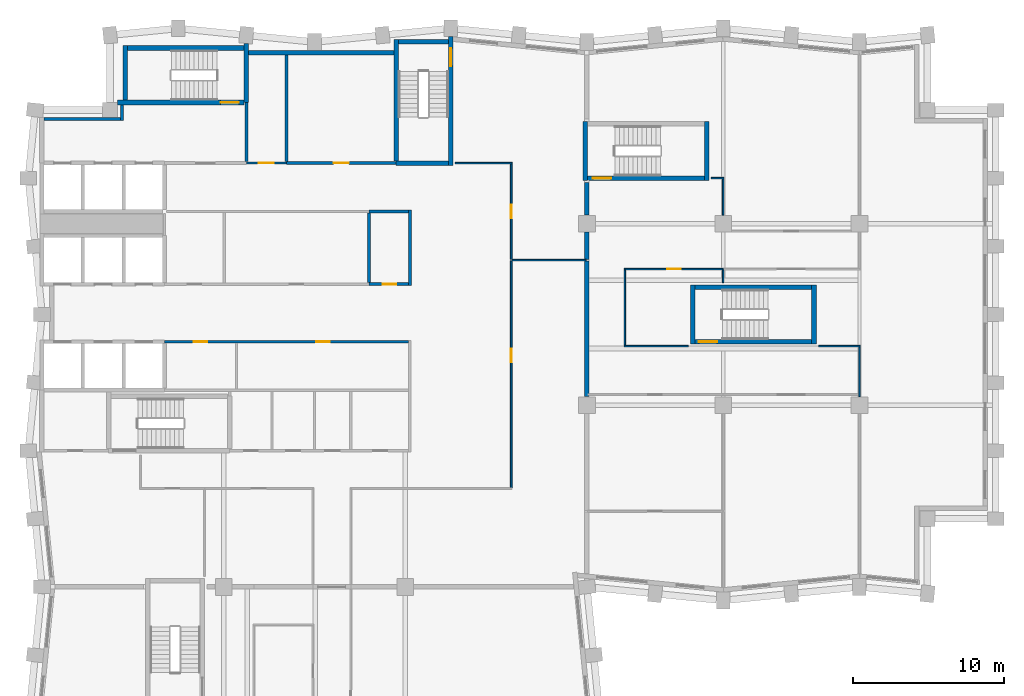
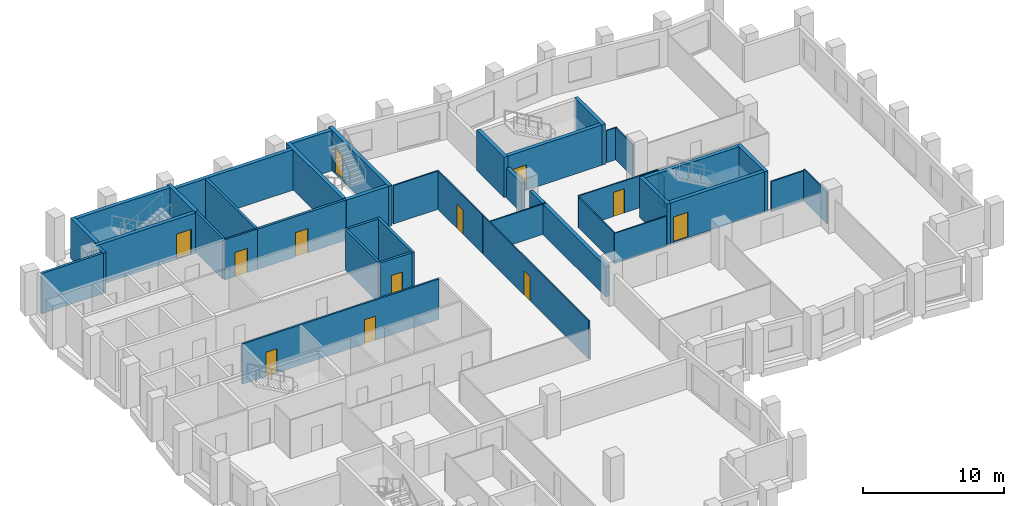
# One storey, part 6 of 10: 42 walls, 12 doors, 12 openings.
"""IFC4 building model written with IfcOpenShell, lengths in metres."""

from ifc_helpers import new_model, si_unit, direction, frame, frame_2d, origin, place, context, subcontext, project, spatial, rectangle, extrude, material, layer, layer_set, type_object, element, fill, save


model = new_model("IFC4")

# Units and contexts
model_context = context("Model", 3, precision=1e-05, world=origin(), true_north=direction((0.0, 1.0)))
body_context = subcontext(model_context, "Body", "Model", "MODEL_VIEW")
ifc_project = project(units=[si_unit("LENGTHUNIT", "METRE"), si_unit("AREAUNIT", "SQUARE_METRE"), si_unit("VOLUMEUNIT", "CUBIC_METRE"), si_unit("PLANEANGLEUNIT", "RADIAN"), si_unit("MASSUNIT", "GRAM", prefix="KILO")], contexts=[model_context])

# Site, building, storey
site_placement = place(None, origin())
site = spatial("IfcSite", under=ifc_project, at=site_placement, CompositionType="ELEMENT")
building_placement = place(site_placement, origin())
building = spatial("IfcBuilding", under=site, at=building_placement, Name="Brondeck Convention Tower", CompositionType="ELEMENT")
storey_placement = place(building_placement, frame((0.0, 0.0, 185.199951171875)))
storey = spatial("IfcBuildingStorey", under=building, at=storey_placement, Name="L45", CompositionType="ELEMENT", Elevation=185.199951171875)

# Walls
ifc_material_1 = material(Name="Concrete compartment wall C30/37", Category="concrete")
ifc_layer_1 = layer(ifc_material_1, 0.300048828125)
ifc_layer_set_1 = layer_set([ifc_layer_1], Name="Compartment wall 300")
wall_type_1 = type_object("IfcWallType", Name="Compartment wall 300", PredefinedType="PARTITIONING", material=ifc_layer_set_1)
wall_1_placement = place(storey_placement, frame((36.0, 39.570068359375, 0.0), z_axis=(0.0, 0.0, 1.0), x_axis=(0.0, 1.0, 0.0)))
element("IfcWall", 1, at=wall_1_placement, inside=storey, type_object=wall_type_1, Name="FLR-L45-W039", PredefinedType="PARTITIONING", context=body_context, shape_type="SweptSolid", body=[
    extrude(rectangle(XDim=8.968017578125, YDim=0.300048828125, at=frame_2d((4.48388671875, 0.0))), origin(), (0.0, 0.0, 1.0), 2.630126953125),
])
wall_2_placement = place(storey_placement, frame((36.0, 48.637939453125, 0.0), z_axis=(0.0, 0.0, 1.0), x_axis=(0.0, 1.0, 0.0)))
element("IfcWall", 2, at=wall_2_placement, inside=storey, type_object=wall_type_1, Name="FLR-L45-W049", PredefinedType="PARTITIONING", context=body_context, shape_type="SweptSolid", body=[
    extrude(rectangle(XDim=1.80712890625, YDim=0.300048828125, at=frame_2d((0.903564453125, 0.0))), origin(), (0.0, 0.0, 1.0), 2.630126953125),
])
wall_3_placement = place(storey_placement, frame((36.0, 51.554931640625, 0.0), z_axis=(0.0, 0.0, 1.0), x_axis=(0.0, 1.0, 0.0)))
element("IfcWall", 3, at=wall_3_placement, inside=storey, type_object=wall_type_1, Name="FLR-L45-W052", PredefinedType="PARTITIONING", context=body_context, shape_type="SweptSolid", body=[
    extrude(rectangle(XDim=2.14501953125, YDim=0.300048828125, at=frame_2d((1.072509765625, 0.0))), origin(), (0.0, 0.0, 1.0), 2.630126953125),
])
ifc_material_2 = material(Name="Concrete C70/85", Category="concrete")
ifc_layer_2 = layer(ifc_material_2, 0.199951171875)
ifc_layer_set_2 = layer_set([ifc_layer_2], Name="Core beam-seat wall 200 Concrete C70/85")
wall_type_2 = type_object("IfcWallType", Name="Core beam-seat wall 200 Concrete C70/85", PredefinedType="SHEAR", material=ifc_layer_set_2)
wall_4_placement = place(storey_placement, frame((24.300048828125, 46.89990234375, 0.0), z_axis=(0.0, 0.0, 1.0), x_axis=(0.0, 1.0, 0.0)))
element("IfcWall", 4, at=wall_4_placement, inside=storey, type_object=wall_type_2, Name="L45 core wall", PredefinedType="SHEAR", context=body_context, shape_type="SweptSolid", body=[
    extrude(rectangle(XDim=5.0, YDim=0.199951171875, at=frame_2d((2.5, 0.0))), origin(), (0.0, 0.0, 1.0), 3.5),
])
ifc_layer_3 = layer(ifc_material_2, 0.300048828125)
ifc_layer_set_3 = layer_set([ifc_layer_3], Name="Core outer wall 300 Concrete C70/85")
wall_type_3 = type_object("IfcWallType", Name="Core outer wall 300 Concrete C70/85", PredefinedType="SHEAR", material=ifc_layer_set_3)
wall_5_placement = place(storey_placement, frame((13.64990234375, 62.300048828125, 0.0), z_axis=(0.0, 0.0, 1.0), x_axis=(1.0, 0.0, 0.0)))
element("IfcWall", 5, at=wall_5_placement, inside=storey, type_object=wall_type_3, Name="L45 core wall", PredefinedType="SHEAR", context=body_context, shape_type="SweptSolid", body=[
    extrude(rectangle(XDim=9.60009765625, YDim=0.300048828125, at=frame_2d((4.800048828125, 0.0))), origin(), (0.0, 0.0, 1.0), 3.5),
])

# Wall, openings, doors
ifc_material_3 = material(Name="Fire-rated gypsum board partition")
ifc_layer_4 = layer(ifc_material_3, 0.14990234375)
ifc_layer_set_4 = layer_set([ifc_layer_4], Name="Core partition 150 EI 60")
wall_type_4 = type_object("IfcWallType", Name="Core partition 150 EI 60", PredefinedType="PARTITIONING", material=ifc_layer_set_4)
wall_6_placement = place(storey_placement, frame((8.10009765625, 43.199951171875, 0.0), z_axis=(0.0, 0.0, 1.0), x_axis=(1.0, 0.0, 0.0)))
wall_6 = element("IfcWall", 6, at=wall_6_placement, inside=storey, type_object=wall_type_4, Name="L45 core wall", PredefinedType="PARTITIONING", context=body_context, shape_type="SweptSolid", body=[
    extrude(rectangle(XDim=16.125, YDim=0.14990234375, at=frame_2d((8.0625, 0.0))), origin(), (0.0, 0.0, 1.0), 3.5),
])
opening_1_placement = place(wall_6_placement, frame((1.925048828125, 0.0, 0.0)))
opening_1 = element("IfcOpeningElement", 7, at=opening_1_placement, cuts=wall_6, Name="Opening C25-10", PredefinedType="OPENING", context=body_context, shape_type="SweptSolid", body=[
    extrude(rectangle(XDim=0.89990234375, YDim=2.10009765625, at=frame_2d((0.449951171875, 1.050048828125))), frame((0.0, 0.0849609375, 0.0), z_axis=(0.0, -1.0, 0.0), x_axis=(1.0, 0.0, 0.0)), (0.0, 0.0, 1.0), 0.169921875),
])
opening_2_placement = place(wall_6_placement, frame((10.02490234375, 0.0, 0.0)))
opening_2 = element("IfcOpeningElement", 8, at=opening_2_placement, cuts=wall_6, Name="Opening C25-11", PredefinedType="OPENING", context=body_context, shape_type="SweptSolid", body=[
    extrude(rectangle(XDim=0.89990234375, YDim=2.10009765625, at=frame_2d((0.449951171875, 1.050048828125))), frame((0.0, 0.0849609375, 0.0), z_axis=(0.0, -1.0, 0.0), x_axis=(1.0, 0.0, 0.0)), (0.0, 0.0, 1.0), 0.169921875),
])
ifc_material_4 = material(Name="Steel fire door", Category="steel")
door_type_1 = type_object("IfcDoorType", Name="Room door 900x2100 EI 60", OperationType="NOTDEFINED", PredefinedType="DOOR", material=ifc_material_4)
door_1_placement = place(opening_1_placement, origin())
door_1 = element("IfcDoor", 9, at=door_1_placement, inside=storey, type_object=door_type_1, Name="L45 Room door FZ-S-8.1-1", OperationType="SINGLE_SWING_RIGHT", OverallHeight=2.10009765625, OverallWidth=0.89990234375, PredefinedType="DOOR", context=body_context, shape_type="SweptSolid", body=[
    extrude(rectangle(XDim=0.89990234375, YDim=2.10009765625, at=frame_2d((0.449951171875, 1.050048828125))), frame((0.0, 0.02490234375, 0.0), z_axis=(0.0, -1.0, 0.0), x_axis=(1.0, 0.0, 0.0)), (0.0, 0.0, 1.0), 0.050048828125),
])
fill(opening_1, door_1)
door_2_placement = place(opening_2_placement, origin())
door_2 = element("IfcDoor", 10, at=door_2_placement, inside=storey, type_object=door_type_1, Name="L45 Room door FZ-S-8.1-2", OperationType="SINGLE_SWING_LEFT", OverallHeight=2.10009765625, OverallWidth=0.89990234375, PredefinedType="DOOR", context=body_context, shape_type="SweptSolid", body=[
    extrude(rectangle(XDim=0.89990234375, YDim=2.10009765625, at=frame_2d((0.449951171875, 1.050048828125))), frame((0.0, 0.02490234375, 0.0), z_axis=(0.0, -1.0, 0.0), x_axis=(1.0, 0.0, 0.0)), (0.0, 0.0, 1.0), 0.050048828125),
])
fill(opening_2, door_2)

# Wall, opening, door
wall_7_placement = place(storey_placement, frame((13.5, 55.0, 0.0), z_axis=(0.0, 0.0, 1.0), x_axis=(1.0, 0.0, 0.0)))
wall_7 = element("IfcWall", 11, at=wall_7_placement, inside=storey, type_object=wall_type_4, Name="L45 core wall", PredefinedType="PARTITIONING", context=body_context, shape_type="SweptSolid", body=[
    extrude(rectangle(XDim=2.64990234375, YDim=0.14990234375, at=frame_2d((1.324951171875, 0.0))), origin(), (0.0, 0.0, 1.0), 3.5),
])
opening_3_placement = place(wall_7_placement, frame((0.824951171875, 0.0, 0.0)))
opening_3 = element("IfcOpeningElement", 12, at=opening_3_placement, cuts=wall_7, Name="Opening C25-12", PredefinedType="OPENING", context=body_context, shape_type="SweptSolid", body=[
    extrude(rectangle(XDim=1.0, YDim=2.10009765625, at=frame_2d((0.5, 1.050048828125))), frame((0.0, 0.0849609375, 0.0), z_axis=(0.0, -1.0, 0.0), x_axis=(1.0, 0.0, 0.0)), (0.0, 0.0, 1.0), 0.169921875),
])
door_type_2 = type_object("IfcDoorType", Name="Room door 1000x2100 EI 60", OperationType="NOTDEFINED", PredefinedType="DOOR", material=ifc_material_4)
door_3_placement = place(opening_3_placement, origin())
door_3 = element("IfcDoor", 13, at=door_3_placement, inside=storey, type_object=door_type_2, Name="L45 Room door NE-1", OperationType="SINGLE_SWING_LEFT", OverallHeight=2.10009765625, OverallWidth=1.0, PredefinedType="DOOR", context=body_context, shape_type="SweptSolid", body=[
    extrude(rectangle(XDim=1.0, YDim=2.10009765625, at=frame_2d((0.5, 1.050048828125))), frame((0.0, 0.02490234375, 0.0), z_axis=(0.0, -1.0, 0.0), x_axis=(1.0, 0.0, 0.0)), (0.0, 0.0, 1.0), 0.050048828125),
])
fill(opening_3, door_3)

# Walls
ifc_layer_5 = layer(ifc_material_3, 0.199951171875)
ifc_layer_set_5 = layer_set([ifc_layer_5], Name="Firefighting lobby wall 200 EI 120")
wall_type_5 = type_object("IfcWallType", Name="Firefighting lobby wall 200 EI 120", PredefinedType="PARTITIONING", material=ifc_layer_set_5)
wall_8_placement = place(storey_placement, frame((0.14990234375, 57.89990234375, 0.0), z_axis=(0.0, 0.0, 1.0), x_axis=(1.0, 0.0, 0.0)))
element("IfcWall", 14, at=wall_8_placement, inside=storey, type_object=wall_type_5, Name="L45 core wall", PredefinedType="PARTITIONING", context=body_context, shape_type="SweptSolid", body=[
    extrude(rectangle(XDim=5.050048828125, YDim=0.199951171875, at=frame_2d((2.52490234375, 0.0))), origin(), (0.0, 0.0, 1.0), 3.5),
])
wall_9_placement = place(storey_placement, frame((5.300048828125, 57.800048828125, 0.0), z_axis=(0.0, 0.0, 1.0), x_axis=(0.0, 1.0, 0.0)))
element("IfcWall", 15, at=wall_9_placement, inside=storey, type_object=wall_type_5, Name="L45 core wall", PredefinedType="PARTITIONING", context=body_context, shape_type="SweptSolid", body=[
    extrude(rectangle(XDim=1.050048828125, YDim=0.199951171875, at=frame_2d((0.52490234375, 0.0))), origin(), (0.0, 0.0, 1.0), 3.5),
])
wall_10_placement = place(storey_placement, frame((13.5, 55.10009765625, 0.0), z_axis=(0.0, 0.0, 1.0), x_axis=(0.0, 1.0, 0.0)))
element("IfcWall", 16, at=wall_10_placement, inside=storey, type_object=wall_type_5, Name="L45 core wall", PredefinedType="PARTITIONING", context=body_context, shape_type="SweptSolid", body=[
    extrude(rectangle(XDim=3.89990234375, YDim=0.199951171875, at=frame_2d((1.949951171875, 0.0))), origin(), (0.0, 0.0, 1.0), 3.5),
])

# Wall, opening, door
ifc_layer_6 = layer(ifc_material_3, 0.199951171875)
ifc_layer_set_6 = layer_set([ifc_layer_6], Name="Riser wall 200 EI 120")
wall_type_6 = type_object("IfcWallType", Name="Riser wall 200 EI 120", PredefinedType="PARTITIONING", material=ifc_layer_set_6)
wall_11_placement = place(storey_placement, frame((21.60009765625, 47.0, 0.0), z_axis=(0.0, 0.0, 1.0), x_axis=(1.0, 0.0, 0.0)))
wall_11 = element("IfcWall", 17, at=wall_11_placement, inside=storey, type_object=wall_type_6, Name="L45 core wall", PredefinedType="PARTITIONING", context=body_context, shape_type="SweptSolid", body=[
    extrude(rectangle(XDim=2.599853515625, YDim=0.199951171875, at=frame_2d((1.2998046875, 0.0))), origin(), (0.0, 0.0, 1.0), 3.5),
])
opening_4_placement = place(wall_11_placement, frame((0.89990234375, 0.0, 0.0)))
opening_4 = element("IfcOpeningElement", 18, at=opening_4_placement, cuts=wall_11, Name="Opening C25-02", PredefinedType="OPENING", context=body_context, shape_type="SweptSolid", body=[
    extrude(rectangle(XDim=0.89990234375, YDim=2.10009765625, at=frame_2d((0.449951171875, 1.050048828125))), frame((0.0, 0.10986328125, 0.0), z_axis=(0.0, -1.0, 0.0), x_axis=(1.0, 0.0, 0.0)), (0.0, 0.0, 1.0), 0.219970703125),
])
door_type_3 = type_object("IfcDoorType", Name="Riser door 900x2100 EI 120", OperationType="NOTDEFINED", PredefinedType="DOOR", material=ifc_material_4)
door_4_placement = place(opening_4_placement, origin())
door_4 = element("IfcDoor", 19, at=door_4_placement, inside=storey, type_object=door_type_3, Name="L45 Riser door EN-1", OperationType="SINGLE_SWING_LEFT", OverallHeight=2.10009765625, OverallWidth=0.89990234375, PredefinedType="DOOR", context=body_context, shape_type="SweptSolid", body=[
    extrude(rectangle(XDim=0.89990234375, YDim=2.10009765625, at=frame_2d((0.449951171875, 1.050048828125))), frame((0.0, 0.02490234375, 0.0), z_axis=(0.0, -1.0, 0.0), x_axis=(1.0, 0.0, 0.0)), (0.0, 0.0, 1.0), 0.050048828125),
])
fill(opening_4, door_4)

# Wall
wall_12_placement = place(storey_placement, frame((21.60009765625, 51.800048828125, 0.0), z_axis=(0.0, 0.0, 1.0), x_axis=(1.0, 0.0, 0.0)))
element("IfcWall", 20, at=wall_12_placement, inside=storey, type_object=wall_type_6, Name="L45 core wall", PredefinedType="PARTITIONING", context=body_context, shape_type="SweptSolid", body=[
    extrude(rectangle(XDim=2.599853515625, YDim=0.199951171875, at=frame_2d((1.2998046875, 0.0))), origin(), (0.0, 0.0, 1.0), 3.5),
])

# Wall, opening, door
wall_13_placement = place(storey_placement, frame((16.14990234375, 55.0, 0.0), z_axis=(0.0, 0.0, 1.0), x_axis=(1.0, 0.0, 0.0)))
wall_13 = element("IfcWall", 21, at=wall_13_placement, inside=storey, type_object=wall_type_6, Name="L45 core wall", PredefinedType="PARTITIONING", context=body_context, shape_type="SweptSolid", body=[
    extrude(rectangle(XDim=7.25, YDim=0.199951171875, at=frame_2d((3.625, 0.0))), origin(), (0.0, 0.0, 1.0), 3.5),
])
opening_5_placement = place(wall_13_placement, frame((3.125, 0.0, 0.0)))
opening_5 = element("IfcOpeningElement", 22, at=opening_5_placement, cuts=wall_13, Name="Opening C25-13", PredefinedType="OPENING", context=body_context, shape_type="SweptSolid", body=[
    extrude(rectangle(XDim=1.0, YDim=2.10009765625, at=frame_2d((0.5, 1.050048828125))), frame((0.0, 0.10986328125, 0.0), z_axis=(0.0, -1.0, 0.0), x_axis=(1.0, 0.0, 0.0)), (0.0, 0.0, 1.0), 0.219970703125),
])
door_type_4 = type_object("IfcDoorType", Name="Riser door 1000x2100 EI 120", OperationType="NOTDEFINED", PredefinedType="DOOR", material=ifc_material_4)
door_5_placement = place(opening_5_placement, origin())
door_5 = element("IfcDoor", 23, at=door_5_placement, inside=storey, type_object=door_type_4, Name="L45 Riser door NE-2", OperationType="SINGLE_SWING_RIGHT", OverallHeight=2.10009765625, OverallWidth=1.0, PredefinedType="DOOR", context=body_context, shape_type="SweptSolid", body=[
    extrude(rectangle(XDim=1.0, YDim=2.10009765625, at=frame_2d((0.5, 1.050048828125))), frame((0.0, 0.02490234375, 0.0), z_axis=(0.0, -1.0, 0.0), x_axis=(1.0, 0.0, 0.0)), (0.0, 0.0, 1.0), 0.050048828125),
])
fill(opening_5, door_5)

# Walls
wall_14_placement = place(storey_placement, frame((16.14990234375, 55.10009765625, 0.0), z_axis=(0.0, 0.0, 1.0), x_axis=(0.0, 1.0, 0.0)))
element("IfcWall", 24, at=wall_14_placement, inside=storey, type_object=wall_type_6, Name="L45 core wall", PredefinedType="PARTITIONING", context=body_context, shape_type="SweptSolid", body=[
    extrude(rectangle(XDim=7.0498046875, YDim=0.199951171875, at=frame_2d((3.52490234375, 0.0))), origin(), (0.0, 0.0, 1.0), 3.5),
])
wall_15_placement = place(storey_placement, frame((21.60009765625, 47.10009765625, 0.0), z_axis=(0.0, 0.0, 1.0), x_axis=(0.0, 1.0, 0.0)))
element("IfcWall", 25, at=wall_15_placement, inside=storey, type_object=wall_type_6, Name="L45 core wall", PredefinedType="PARTITIONING", context=body_context, shape_type="SweptSolid", body=[
    extrude(rectangle(XDim=4.599853515625, YDim=0.199951171875, at=frame_2d((2.2998046875, 0.0))), origin(), (0.0, 0.0, 1.0), 3.5),
])
ifc_material_5 = material(Name="Gypsum board partition on steel studs", Category="steel")
ifc_layer_7 = layer(ifc_material_5, 0.10009765625)
ifc_layer_set_7 = layer_set([ifc_layer_7], Name="Room partition 100")
wall_type_7 = type_object("IfcWallType", Name="Room partition 100", PredefinedType="PARTITIONING", material=ifc_layer_set_7)
wall_16_placement = place(storey_placement, frame((54.0, 42.85009765625, 0.0), z_axis=(0.0, 0.0, 1.0), x_axis=(0.0, -1.0, 0.0)))
element("IfcWall", 26, at=wall_16_placement, inside=storey, type_object=wall_type_7, Name="FLR-L45-W040", PredefinedType="PARTITIONING", context=body_context, shape_type="SweptSolid", body=[
    extrude(rectangle(XDim=3.280029296875, YDim=0.10009765625, at=frame_2d((1.64013671875, 0.0))), origin(), (0.0, 0.0, 1.0), 2.780029296875),
])
wall_17_placement = place(storey_placement, frame((38.449951171875, 42.89990234375, 0.0), z_axis=(0.0, 0.0, 1.0), x_axis=(1.0, 0.0, 0.0)))
element("IfcWall", 27, at=wall_17_placement, inside=storey, type_object=wall_type_7, Name="FLR-L45-W041", PredefinedType="PARTITIONING", context=body_context, shape_type="SweptSolid", body=[
    extrude(rectangle(XDim=4.25, YDim=0.10009765625, at=frame_2d((2.125, 0.0))), origin(), (0.0, 0.0, 1.0), 2.630126953125),
])
wall_18_placement = place(storey_placement, frame((51.300048828125, 42.89990234375, 0.0), z_axis=(0.0, 0.0, 1.0), x_axis=(1.0, 0.0, 0.0)))
element("IfcWall", 28, at=wall_18_placement, inside=storey, type_object=wall_type_7, Name="FLR-L45-W042", PredefinedType="PARTITIONING", context=body_context, shape_type="SweptSolid", body=[
    extrude(rectangle(XDim=2.75, YDim=0.10009765625, at=frame_2d((1.375, 0.0))), origin(), (0.0, 0.0, 1.0), 2.630126953125),
])
wall_19_placement = place(storey_placement, frame((38.5, 47.949951171875, 0.0), z_axis=(0.0, 0.0, 1.0), x_axis=(0.0, -1.0, 0.0)))
element("IfcWall", 29, at=wall_19_placement, inside=storey, type_object=wall_type_7, Name="FLR-L45-W043", PredefinedType="PARTITIONING", context=body_context, shape_type="SweptSolid", body=[
    extrude(rectangle(XDim=5.0, YDim=0.10009765625, at=frame_2d((2.5, 0.0))), origin(), (0.0, 0.0, 1.0), 2.630126953125),
])
wall_20_placement = place(storey_placement, frame((45.0, 47.949951171875, 0.0), z_axis=(0.0, 0.0, 1.0), x_axis=(0.0, -1.0, 0.0)))
element("IfcWall", 30, at=wall_20_placement, inside=storey, type_object=wall_type_7, Name="FLR-L45-W044", PredefinedType="PARTITIONING", context=body_context, shape_type="SweptSolid", body=[
    extrude(rectangle(XDim=0.849853515625, YDim=0.10009765625, at=frame_2d((0.4248046875, 0.0))), origin(), (0.0, 0.0, 1.0), 2.630126953125),
])

# Wall, opening, door
wall_21_placement = place(storey_placement, frame((45.0, 48.0, 0.0), z_axis=(0.0, 0.0, 1.0), x_axis=(-1.0, 0.0, 0.0)))
wall_21 = element("IfcWall", 31, at=wall_21_placement, inside=storey, type_object=wall_type_7, Name="FLR-L45-W045", PredefinedType="PARTITIONING", context=body_context, shape_type="SweptSolid", body=[
    extrude(rectangle(XDim=6.550048828125, YDim=0.10009765625, at=frame_2d((3.27490234375, 0.0))), origin(), (0.0, 0.0, 1.0), 2.780029296875),
])
opening_6_placement = place(wall_21_placement, frame((2.800048828125, 0.0, 0.0)))
opening_6 = element("IfcOpeningElement", 32, at=opening_6_placement, cuts=wall_21, Name="Opening OF-J-002", PredefinedType="OPENING", context=body_context, shape_type="SweptSolid", body=[
    extrude(rectangle(XDim=0.89990234375, YDim=2.10009765625, at=frame_2d((0.449951171875, 1.050048828125))), frame((0.0, 0.06005859375, 0.0), z_axis=(0.0, -1.0, 0.0), x_axis=(1.0, 0.0, 0.0)), (0.0, 0.0, 1.0), 0.1201171875),
])
ifc_material_6 = material(Name="Solid timber door leaf", Category="wood")
door_type_5 = type_object("IfcDoorType", Name="Single door 900", OperationType="NOTDEFINED", PredefinedType="DOOR", material=ifc_material_6)
door_6_placement = place(opening_6_placement, origin())
door_6 = element("IfcDoor", 33, at=door_6_placement, inside=storey, type_object=door_type_5, Name="Door OF-J-002", OperationType="SINGLE_SWING_RIGHT", OverallHeight=2.10009765625, OverallWidth=0.89990234375, PredefinedType="DOOR", context=body_context, shape_type="SweptSolid", body=[
    extrude(rectangle(XDim=0.89990234375, YDim=2.10009765625, at=frame_2d((0.449951171875, 1.050048828125))), frame((0.0, 0.02490234375, 0.0), z_axis=(0.0, -1.0, 0.0), x_axis=(1.0, 0.0, 0.0)), (0.0, 0.0, 1.0), 0.050048828125),
])
fill(opening_6, door_6)

wall_22_placement = place(storey_placement, frame((31.0, 48.5380859375, 0.0), z_axis=(0.0, 0.0, 1.0), x_axis=(0.0, -1.0, 0.0)))
wall_22 = element("IfcWall", 34, at=wall_22_placement, inside=storey, type_object=wall_type_7, Name="FLR-L45-W047", PredefinedType="PARTITIONING", context=body_context, shape_type="SweptSolid", body=[
    extrude(rectangle(XDim=14.988037109375, YDim=0.10009765625, at=frame_2d((7.494140625, 0.0))), origin(), (0.0, 0.0, 1.0), 3.330078125),
])
opening_7_placement = place(wall_22_placement, frame((5.7939453125, 0.0, 0.0)))
opening_7 = element("IfcOpeningElement", 35, at=opening_7_placement, cuts=wall_22, Name="Opening OF-J-014", PredefinedType="OPENING", context=body_context, shape_type="SweptSolid", body=[
    extrude(rectangle(XDim=0.89990234375, YDim=2.10009765625, at=frame_2d((0.449951171875, 1.050048828125))), frame((0.0, 0.06005859375, 0.0), z_axis=(0.0, -1.0, 0.0), x_axis=(1.0, 0.0, 0.0)), (0.0, 0.0, 1.0), 0.1201171875),
])
door_7_placement = place(opening_7_placement, origin())
door_7 = element("IfcDoor", 36, at=door_7_placement, inside=storey, type_object=door_type_5, Name="Door OF-J-014", OperationType="SINGLE_SWING_RIGHT", OverallHeight=2.10009765625, OverallWidth=0.89990234375, PredefinedType="DOOR", context=body_context, shape_type="SweptSolid", body=[
    extrude(rectangle(XDim=0.89990234375, YDim=2.10009765625, at=frame_2d((0.449951171875, 1.050048828125))), frame((0.0, 0.02490234375, 0.0), z_axis=(0.0, -1.0, 0.0), x_axis=(1.0, 0.0, 0.0)), (0.0, 0.0, 1.0), 0.050048828125),
])
fill(opening_7, door_7)

# Walls
wall_23_placement = place(storey_placement, frame((31.050048828125, 48.587890625, 0.0), z_axis=(0.0, 0.0, 1.0), x_axis=(1.0, 0.0, 0.0)))
element("IfcWall", 37, at=wall_23_placement, inside=storey, type_object=wall_type_7, Name="FLR-L45-W048", PredefinedType="PARTITIONING", context=body_context, shape_type="SweptSolid", body=[
    extrude(rectangle(XDim=4.89990234375, YDim=0.10009765625, at=frame_2d((2.449951171875, 0.0))), origin(), (0.0, 0.0, 1.0), 2.630126953125),
])
wall_24_placement = place(storey_placement, frame((45.0, 53.949951171875, 0.0), z_axis=(0.0, 0.0, 1.0), x_axis=(0.0, -1.0, 0.0)))
element("IfcWall", 38, at=wall_24_placement, inside=storey, type_object=wall_type_7, Name="FLR-L45-W054", PredefinedType="PARTITIONING", context=body_context, shape_type="SweptSolid", body=[
    extrude(rectangle(XDim=2.39501953125, YDim=0.10009765625, at=frame_2d((1.197509765625, 0.0))), origin(), (0.0, 0.0, 1.0), 2.780029296875),
])
wall_25_placement = place(storey_placement, frame((44.199951171875, 54.0, 0.0), z_axis=(0.0, 0.0, 1.0), x_axis=(1.0, 0.0, 0.0)))
element("IfcWall", 39, at=wall_25_placement, inside=storey, type_object=wall_type_7, Name="FLR-L45-W055", PredefinedType="PARTITIONING", context=body_context, shape_type="SweptSolid", body=[
    extrude(rectangle(XDim=0.85009765625, YDim=0.10009765625, at=frame_2d((0.425048828125, 0.0))), origin(), (0.0, 0.0, 1.0), 2.780029296875),
])

# Wall, opening, door
wall_26_placement = place(storey_placement, frame((31.0, 54.949951171875, 0.0), z_axis=(0.0, 0.0, 1.0), x_axis=(0.0, -1.0, 0.0)))
wall_26 = element("IfcWall", 40, at=wall_26_placement, inside=storey, type_object=wall_type_7, Name="FLR-L45-W056", PredefinedType="PARTITIONING", context=body_context, shape_type="SweptSolid", body=[
    extrude(rectangle(XDim=6.31201171875, YDim=0.10009765625, at=frame_2d((3.156005859375, 0.0))), origin(), (0.0, 0.0, 1.0), 3.330078125),
])
opening_8_placement = place(wall_26_placement, frame((2.7060546875, 0.0, 0.0)))
opening_8 = element("IfcOpeningElement", 41, at=opening_8_placement, cuts=wall_26, Name="Opening OF-J-015", PredefinedType="OPENING", context=body_context, shape_type="SweptSolid", body=[
    extrude(rectangle(XDim=0.89990234375, YDim=2.10009765625, at=frame_2d((0.449951171875, 1.050048828125))), frame((0.0, 0.06005859375, 0.0), z_axis=(0.0, -1.0, 0.0), x_axis=(1.0, 0.0, 0.0)), (0.0, 0.0, 1.0), 0.1201171875),
])
door_8_placement = place(opening_8_placement, origin())
door_8 = element("IfcDoor", 42, at=door_8_placement, inside=storey, type_object=door_type_5, Name="Door OF-J-015", OperationType="SINGLE_SWING_LEFT", OverallHeight=2.10009765625, OverallWidth=0.89990234375, PredefinedType="DOOR", context=body_context, shape_type="SweptSolid", body=[
    extrude(rectangle(XDim=0.89990234375, YDim=2.10009765625, at=frame_2d((0.449951171875, 1.050048828125))), frame((0.0, 0.02490234375, 0.0), z_axis=(0.0, -1.0, 0.0), x_axis=(1.0, 0.0, 0.0)), (0.0, 0.0, 1.0), 0.050048828125),
])
fill(opening_8, door_8)

# Wall
wall_27_placement = place(storey_placement, frame((27.300048828125, 55.0, 0.0), z_axis=(0.0, 0.0, 1.0), x_axis=(1.0, 0.0, 0.0)))
element("IfcWall", 43, at=wall_27_placement, inside=storey, type_object=wall_type_7, Name="FLR-L45-W057", PredefinedType="PARTITIONING", context=body_context, shape_type="SweptSolid", body=[
    extrude(rectangle(XDim=3.75, YDim=0.10009765625, at=frame_2d((1.875, 0.0))), origin(), (0.0, 0.0, 1.0), 3.330078125),
])

# Wall, opening, door
ifc_layer_8 = layer(ifc_material_2, 0.300048828125)
ifc_layer_set_8 = layer_set([ifc_layer_8], Name="Stair enclosure wall 300 Concrete C70/85")
wall_type_8 = type_object("IfcWallType", Name="Stair enclosure wall 300 Concrete C70/85", PredefinedType="SHEAR", material=ifc_layer_set_8)
wall_28_placement = place(storey_placement, frame((43.14990234375, 43.199951171875, 0.0), z_axis=(0.0, 0.0, 1.0), x_axis=(1.0, 0.0, 0.0)))
wall_28 = element("IfcWall", 44, at=wall_28_placement, inside=storey, type_object=wall_type_8, Name="L45 core wall", PredefinedType="SHEAR", context=body_context, shape_type="SweptSolid", body=[
    extrude(rectangle(XDim=7.7001953125, YDim=0.300048828125, at=frame_2d((3.85009765625, 0.0))), origin(), (0.0, 0.0, 1.0), 3.5),
])
opening_9_placement = place(wall_28_placement, frame((0.25, 0.0, 0.0)))
opening_9 = element("IfcOpeningElement", 45, at=opening_9_placement, cuts=wall_28, Name="Opening C25-18", PredefinedType="OPENING", context=body_context, shape_type="SweptSolid", body=[
    extrude(rectangle(XDim=1.199951171875, YDim=2.199951171875, at=frame_2d((0.60009765625, 1.10009765625))), frame((0.0, 0.159912109375, 0.0), z_axis=(0.0, -1.0, 0.0), x_axis=(1.0, 0.0, 0.0)), (0.0, 0.0, 1.0), 0.320068359375),
])
door_type_6 = type_object("IfcDoorType", Name="Stair door 1200x2200 EI 90", OperationType="NOTDEFINED", PredefinedType="DOOR", material=ifc_material_4)
door_9_placement = place(opening_9_placement, origin())
door_9 = element("IfcDoor", 46, at=door_9_placement, inside=storey, type_object=door_type_6, Name="L45 Stair door ST-AF", OperationType="SINGLE_SWING_RIGHT", OverallHeight=2.199951171875, OverallWidth=1.199951171875, PredefinedType="DOOR", context=body_context, shape_type="SweptSolid", body=[
    extrude(rectangle(XDim=1.199951171875, YDim=2.199951171875, at=frame_2d((0.60009765625, 1.10009765625))), frame((0.0, 0.02490234375, 0.0), z_axis=(0.0, -1.0, 0.0), x_axis=(1.0, 0.0, 0.0)), (0.0, 0.0, 1.0), 0.050048828125),
])
fill(opening_9, door_9)

# Wall
wall_29_placement = place(storey_placement, frame((43.14990234375, 46.800048828125, 0.0), z_axis=(0.0, 0.0, 1.0), x_axis=(1.0, 0.0, 0.0)))
element("IfcWall", 47, at=wall_29_placement, inside=storey, type_object=wall_type_8, Name="L45 core wall", PredefinedType="SHEAR", context=body_context, shape_type="SweptSolid", body=[
    extrude(rectangle(XDim=7.7001953125, YDim=0.300048828125, at=frame_2d((3.85009765625, 0.0))), origin(), (0.0, 0.0, 1.0), 3.5),
])

# Wall, opening, door
wall_30_placement = place(storey_placement, frame((36.050048828125, 54.0, 0.0), z_axis=(0.0, 0.0, 1.0), x_axis=(1.0, 0.0, 0.0)))
wall_30 = element("IfcWall", 48, at=wall_30_placement, inside=storey, type_object=wall_type_8, Name="L45 core wall", PredefinedType="SHEAR", context=body_context, shape_type="SweptSolid", body=[
    extrude(rectangle(XDim=7.699951171875, YDim=0.300048828125, at=frame_2d((3.85009765625, 0.0))), origin(), (0.0, 0.0, 1.0), 3.5),
])
opening_10_placement = place(wall_30_placement, frame((0.35009765625, 0.0, 0.0)))
opening_10 = element("IfcOpeningElement", 49, at=opening_10_placement, cuts=wall_30, Name="Opening C25-17", PredefinedType="OPENING", context=body_context, shape_type="SweptSolid", body=[
    extrude(rectangle(XDim=1.199951171875, YDim=2.199951171875, at=frame_2d((0.60009765625, 1.10009765625))), frame((0.0, 0.159912109375, 0.0), z_axis=(0.0, -1.0, 0.0), x_axis=(1.0, 0.0, 0.0)), (0.0, 0.0, 1.0), 0.320068359375),
])
door_10_placement = place(opening_10_placement, origin())
door_10 = element("IfcDoor", 50, at=door_10_placement, inside=storey, type_object=door_type_6, Name="L45 Stair door ST-AE", OperationType="SINGLE_SWING_LEFT", OverallHeight=2.199951171875, OverallWidth=1.199951171875, PredefinedType="DOOR", context=body_context, shape_type="SweptSolid", body=[
    extrude(rectangle(XDim=1.199951171875, YDim=2.199951171875, at=frame_2d((0.60009765625, 1.10009765625))), frame((0.0, 0.02490234375, 0.0), z_axis=(0.0, -1.0, 0.0), x_axis=(1.0, 0.0, 0.0)), (0.0, 0.0, 1.0), 0.050048828125),
])
fill(opening_10, door_10)

# Wall
wall_31_placement = place(storey_placement, frame((23.39990234375, 55.0, 0.0), z_axis=(0.0, 0.0, 1.0), x_axis=(1.0, 0.0, 0.0)))
element("IfcWall", 51, at=wall_31_placement, inside=storey, type_object=wall_type_8, Name="L45 core wall", PredefinedType="SHEAR", context=body_context, shape_type="SweptSolid", body=[
    extrude(rectangle(XDim=3.4501953125, YDim=0.300048828125, at=frame_2d((1.72509765625, 0.0))), origin(), (0.0, 0.0, 1.0), 3.5),
])

# Wall, opening, door
wall_32_placement = place(storey_placement, frame((5.0, 59.0, 0.0), z_axis=(0.0, 0.0, 1.0), x_axis=(1.0, 0.0, 0.0)))
wall_32 = element("IfcWall", 52, at=wall_32_placement, inside=storey, type_object=wall_type_8, Name="L45 core wall", PredefinedType="SHEAR", context=body_context, shape_type="SweptSolid", body=[
    extrude(rectangle(XDim=8.35009765625, YDim=0.300048828125, at=frame_2d((4.175048828125, 0.0))), origin(), (0.0, 0.0, 1.0), 3.5),
])
opening_11_placement = place(wall_32_placement, frame((6.800048828125, 0.0, 0.0)))
opening_11 = element("IfcOpeningElement", 53, at=opening_11_placement, cuts=wall_32, Name="Opening C25-16", PredefinedType="OPENING", context=body_context, shape_type="SweptSolid", body=[
    extrude(rectangle(XDim=1.199951171875, YDim=2.199951171875, at=frame_2d((0.60009765625, 1.10009765625))), frame((0.0, 0.159912109375, 0.0), z_axis=(0.0, -1.0, 0.0), x_axis=(1.0, 0.0, 0.0)), (0.0, 0.0, 1.0), 0.320068359375),
])
door_type_7 = type_object("IfcDoorType", Name="Stair door 1200x2200 EI 120", OperationType="NOTDEFINED", PredefinedType="DOOR", material=ifc_material_4)
door_11_placement = place(opening_11_placement, origin())
door_11 = element("IfcDoor", 54, at=door_11_placement, inside=storey, type_object=door_type_7, Name="L45 Stair door ST-3", OperationType="SINGLE_SWING_RIGHT", OverallHeight=2.199951171875, OverallWidth=1.199951171875, PredefinedType="DOOR", context=body_context, shape_type="SweptSolid", body=[
    extrude(rectangle(XDim=1.199951171875, YDim=2.199951171875, at=frame_2d((0.60009765625, 1.10009765625))), frame((0.0, 0.02490234375, 0.0), z_axis=(0.0, -1.0, 0.0), x_axis=(1.0, 0.0, 0.0)), (0.0, 0.0, 1.0), 0.050048828125),
])
fill(opening_11, door_11)

# Walls
wall_33_placement = place(storey_placement, frame((5.64990234375, 62.60009765625, 0.0), z_axis=(0.0, 0.0, 1.0), x_axis=(1.0, 0.0, 0.0)))
element("IfcWall", 55, at=wall_33_placement, inside=storey, type_object=wall_type_8, Name="L45 core wall", PredefinedType="SHEAR", context=body_context, shape_type="SweptSolid", body=[
    extrude(rectangle(XDim=7.7001953125, YDim=0.300048828125, at=frame_2d((3.85009765625, 0.0))), origin(), (0.0, 0.0, 1.0), 3.5),
])
wall_34_placement = place(storey_placement, frame((23.550048828125, 63.0, 0.0), z_axis=(0.0, 0.0, 1.0), x_axis=(1.0, 0.0, 0.0)))
element("IfcWall", 56, at=wall_34_placement, inside=storey, type_object=wall_type_8, Name="L45 core wall", PredefinedType="SHEAR", context=body_context, shape_type="SweptSolid", body=[
    extrude(rectangle(XDim=3.300048828125, YDim=0.300048828125, at=frame_2d((1.64990234375, 0.0))), origin(), (0.0, 0.0, 1.0), 3.5),
])
wall_35_placement = place(storey_placement, frame((5.5, 59.14990234375, 0.0), z_axis=(0.0, 0.0, 1.0), x_axis=(0.0, 1.0, 0.0)))
element("IfcWall", 57, at=wall_35_placement, inside=storey, type_object=wall_type_8, Name="L45 core wall", PredefinedType="SHEAR", context=body_context, shape_type="SweptSolid", body=[
    extrude(rectangle(XDim=3.60009765625, YDim=0.300048828125, at=frame_2d((1.800048828125, 0.0))), origin(), (0.0, 0.0, 1.0), 3.5),
])
wall_36_placement = place(storey_placement, frame((13.5, 59.0, 0.0), z_axis=(0.0, 0.0, 1.0), x_axis=(0.0, 1.0, 0.0)))
element("IfcWall", 58, at=wall_36_placement, inside=storey, type_object=wall_type_8, Name="L45 core wall", PredefinedType="SHEAR", context=body_context, shape_type="SweptSolid", body=[
    extrude(rectangle(XDim=3.897216796875, YDim=0.300048828125, at=frame_2d((1.94873046875, 0.0))), origin(), (0.0, 0.0, 1.0), 3.5),
])
wall_37_placement = place(storey_placement, frame((23.39990234375, 55.14990234375, 0.0), z_axis=(0.0, 0.0, 1.0), x_axis=(0.0, 1.0, 0.0)))
element("IfcWall", 59, at=wall_37_placement, inside=storey, type_object=wall_type_8, Name="L45 core wall", PredefinedType="SHEAR", context=body_context, shape_type="SweptSolid", body=[
    extrude(rectangle(XDim=8.0, YDim=0.300048828125, at=frame_2d((4.0, 0.0))), origin(), (0.0, 0.0, 1.0), 3.5),
])

# Wall, opening, door
wall_38_placement = place(storey_placement, frame((27.0, 54.85009765625, 0.0), z_axis=(0.0, 0.0, 1.0), x_axis=(0.0, 1.0, 0.0)))
wall_38 = element("IfcWall", 60, at=wall_38_placement, inside=storey, type_object=wall_type_8, Name="L45 core wall", PredefinedType="SHEAR", context=body_context, shape_type="SweptSolid", body=[
    extrude(rectangle(XDim=8.5, YDim=0.300048828125, at=frame_2d((4.25, 0.0))), origin(), (0.0, 0.0, 1.0), 3.5),
])
opening_12_placement = place(wall_38_placement, frame((6.550048828125, 0.0, 0.0)))
opening_12 = element("IfcOpeningElement", 61, at=opening_12_placement, cuts=wall_38, Name="Opening C25-15", PredefinedType="OPENING", context=body_context, shape_type="SweptSolid", body=[
    extrude(rectangle(XDim=1.199951171875, YDim=2.199951171875, at=frame_2d((0.60009765625, 1.10009765625))), frame((0.0, 0.159912109375, 0.0), z_axis=(0.0, -1.0, 0.0), x_axis=(1.0, 0.0, 0.0)), (0.0, 0.0, 1.0), 0.320068359375),
])
door_12_placement = place(opening_12_placement, origin())
door_12 = element("IfcDoor", 62, at=door_12_placement, inside=storey, type_object=door_type_6, Name="L45 Stair door ST-2", OperationType="SINGLE_SWING_LEFT", OverallHeight=2.199951171875, OverallWidth=1.199951171875, PredefinedType="DOOR", context=body_context, shape_type="SweptSolid", body=[
    extrude(rectangle(XDim=1.199951171875, YDim=2.199951171875, at=frame_2d((0.60009765625, 1.10009765625))), frame((0.0, 0.02490234375, 0.0), z_axis=(0.0, -1.0, 0.0), x_axis=(1.0, 0.0, 0.0)), (0.0, 0.0, 1.0), 0.050048828125),
])
fill(opening_12, door_12)

# Walls
for number, where, z_axis, x_axis, name in (
    (63, (35.89990234375, 53.85009765625, 0.0), (0.0, 0.0, 1.0), (0.0, 1.0, 0.0), "L45 core wall"),
    (64, (43.0, 43.050048828125, 0.0), (0.0, 0.0, 1.0), (0.0, 1.0, 0.0), "L45 core wall"),
    (65, (43.89990234375, 53.85009765625, 0.0), (0.0, 0.0, 1.0), (0.0, 1.0, 0.0), "L45 core wall"),
    (66, (51.0, 43.050048828125, 0.0), (0.0, 0.0, 1.0), (0.0, 1.0, 0.0), "L45 core wall"),
):
    element("IfcWall", number, at=place(storey_placement, frame(where, z_axis=z_axis, x_axis=x_axis)), inside=storey, type_object=wall_type_8, Name=name, PredefinedType="SHEAR", context=body_context, shape_type="SweptSolid", body=[
        extrude(rectangle(XDim=3.89990234375, YDim=0.300048828125, at=frame_2d((1.949951171875, 0.0))), origin(), (0.0, 0.0, 1.0), 3.5),
    ])

save(model, "model.ifc")
